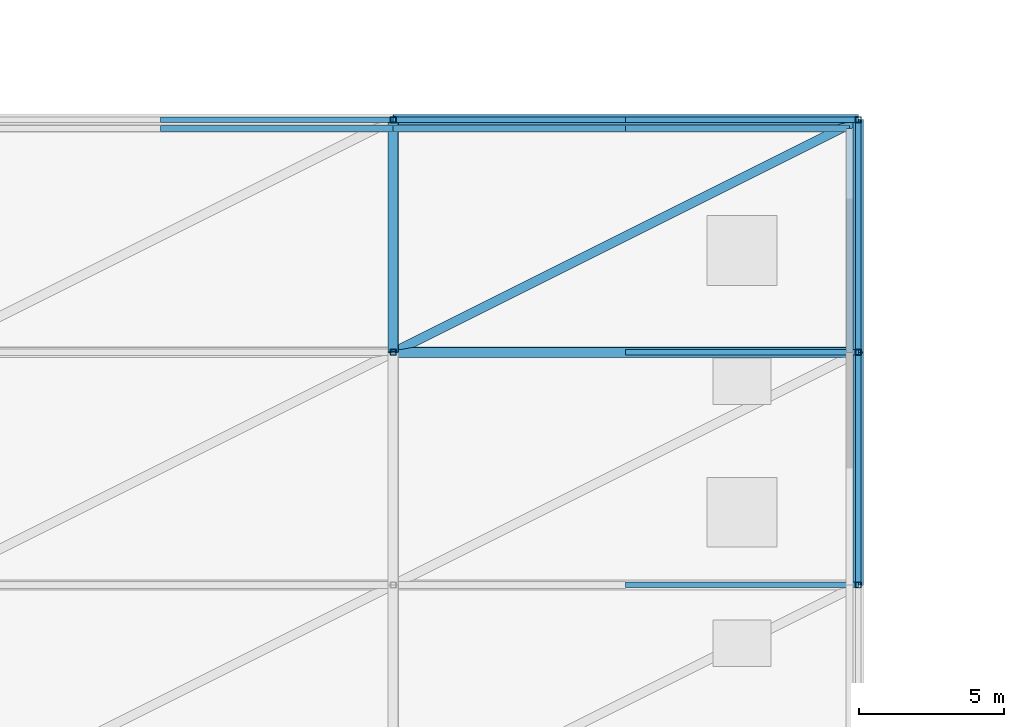
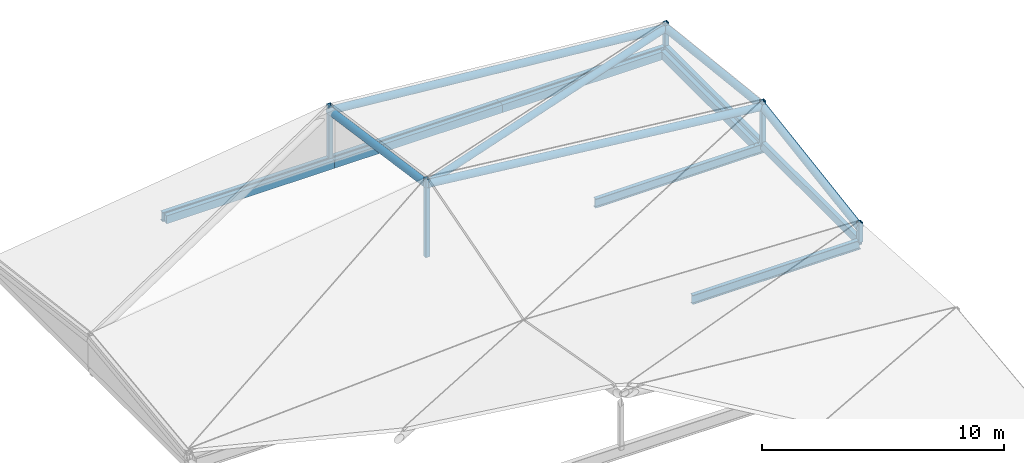
# One storey, part 25 of 44: 16 beams, 6 members.
"""IFC4 building model written with IfcOpenShell, lengths in metres."""

import ifcopenshell
import ifcopenshell.guid

model = None  # the IFC model being written
_history = None  # IfcOwnerHistory: only IFC2X3 demands one
_inside = {}  # id of a spatial element -> (the spatial element, [elements in it])
_under = {}  # id of a project, library or spatial element -> (it, [spatial elements below it])
_declared = {}  # id of a project -> (the project, [libraries it declares])
_typed = {}  # id of a type object -> (the type object, [elements of that type])
_made_of = {}  # id of a material, layer set ... -> (it, [elements and type objects made of it])


def new_model(schema):
    """Start an empty IFC model of exactly this schema.

    Asked for "IFC4X3", IfcOpenShell would pick the latest addendum, in which some entities
    have other attributes; the version numbers below select the first issue.
    IFC2X3 requires an IfcOwnerHistory on every rooted entity: one is made here for all.
    """
    global model, _history
    if schema == "IFC4X3":
        model = ifcopenshell.file(schema_version=(4, 3, 0, 0))
    else:
        model = ifcopenshell.file(schema=schema)
    _inside.clear()
    _under.clear()
    _declared.clear()
    _typed.clear()
    _made_of.clear()
    _history = None
    if model.schema == "IFC2X3":
        org = make("IfcOrganization", Name="unknown")
        user = make(
            "IfcPersonAndOrganization",
            ThePerson=make("IfcPerson", FamilyName="unknown"),
            TheOrganization=org,
        )
        app = make(
            "IfcApplication",
            ApplicationDeveloper=org,
            Version="unknown",
            ApplicationFullName="unknown",
            ApplicationIdentifier="unknown",
        )
        _history = make(
            "IfcOwnerHistory",
            OwningUser=user,
            OwningApplication=app,
            ChangeAction="ADDED",
            CreationDate=0,
        )
    return model


def make(cls, **values):
    """One entity of the class cls with the attributes given. An attribute that is None is left unset."""
    return model.create_entity(
        cls, **{name: value for name, value in values.items() if value is not None}
    )


def rooted(cls, **values):
    """An entity with a GlobalId (a new one), such as an element, a storey or a relation."""
    return make(cls, GlobalId=ifcopenshell.guid.new(), OwnerHistory=_history, **values)


def si_unit(unit_type, name, prefix=None):
    """IfcSIUnit, for example si_unit("LENGTHUNIT", "METRE", prefix="MILLI")."""
    return make("IfcSIUnit", UnitType=unit_type, Prefix=prefix, Name=name)


def assignment(units):
    """IfcUnitAssignment: the units of a project."""
    return None if units is None else make("IfcUnitAssignment", Units=units)


def point(xyz):
    """IfcCartesianPoint."""
    return None if xyz is None else make("IfcCartesianPoint", Coordinates=xyz)


def direction(xyz):
    """IfcDirection."""
    return None if xyz is None else make("IfcDirection", DirectionRatios=xyz)


def frame(location, z_axis=None, x_axis=None):
    """IfcAxis2Placement3D, a coordinate frame: its origin and axes. An axis left out is left unset."""
    return make(
        "IfcAxis2Placement3D",
        Location=point(location),
        Axis=direction(z_axis),
        RefDirection=direction(x_axis),
    )


def frame_2d(location, x_axis=None):
    """IfcAxis2Placement2D, a coordinate frame in the plane: its origin and x axis."""
    return make(
        "IfcAxis2Placement2D", Location=point(location), RefDirection=direction(x_axis)
    )


def origin():
    """The frame at (0, 0, 0) with its axes left unset."""
    return frame((0.0, 0.0, 0.0))


def origin_2d():
    """The frame at (0, 0) in the plane with its x axis left unset."""
    return frame_2d((0.0, 0.0))


def place(relative_to, where):
    """IfcLocalPlacement: puts the frame where relative to a parent placement (None: the world)."""
    return make(
        "IfcLocalPlacement", PlacementRelTo=relative_to, RelativePlacement=where
    )


def context(
    kind, dimensions, precision=None, world=None, true_north=None, identifier=None
):
    """IfcGeometricRepresentationContext, for example the 3D "Model" context."""
    return make(
        "IfcGeometricRepresentationContext",
        ContextIdentifier=identifier,
        ContextType=kind,
        CoordinateSpaceDimension=dimensions,
        Precision=precision,
        WorldCoordinateSystem=world,
        TrueNorth=true_north,
    )


def subcontext(parent, identifier, kind, view, scale=None):
    """IfcGeometricRepresentationSubContext, for example "Body" below "Model"."""
    return make(
        "IfcGeometricRepresentationSubContext",
        ContextIdentifier=identifier,
        ContextType=kind,
        ParentContext=parent,
        TargetScale=scale,
        TargetView=view,
    )


def project(units=None, contexts=None):
    """IfcProject with its units and contexts."""
    return rooted(
        "IfcProject",
        Name="project",
        RepresentationContexts=contexts,
        UnitsInContext=assignment(units),
    )


def spatial(cls, under=None, at=None, **own):
    """A site, building, storey or space (cls), placed at a placement, below another one or the project."""
    s = rooted(cls, ObjectPlacement=at, **own)
    if under is not None:
        _under.setdefault(under.id(), (under, []))[1].append(s)
    return s


def profile(cls, at=None, kind="AREA", **sizes):
    """A parametric profile (cls). Its sizes go by their IFC names, for example OverallWidth=200.0."""
    return make(cls, ProfileType=kind, Position=at, **sizes)


def hollow_rectangle(**sizes):
    """IfcRectangleHollowProfileDef."""
    return profile("IfcRectangleHollowProfileDef", **sizes)


def hollow_circle(**sizes):
    """IfcCircleHollowProfileDef."""
    return profile("IfcCircleHollowProfileDef", **sizes)


def i_section(**sizes):
    """IfcIShapeProfileDef."""
    return profile("IfcIShapeProfileDef", **sizes)


def extrude(swept, where, along, depth):
    """IfcExtrudedAreaSolid: the profile swept, set in the frame where, extruded along a direction by depth."""
    return make(
        "IfcExtrudedAreaSolid",
        SweptArea=swept,
        Position=where,
        ExtrudedDirection=direction(along),
        Depth=depth,
    )


def shape(context_of_items, identifier, shape_type, items):
    """IfcShapeRepresentation: the items that make up one representation, for example the "Body"."""
    return make(
        "IfcShapeRepresentation",
        ContextOfItems=context_of_items,
        RepresentationIdentifier=identifier,
        RepresentationType=shape_type,
        Items=items,
    )


def material(Name=None, Category=None):
    """IfcMaterial."""
    return make("IfcMaterial", Name=Name, Category=Category)


def material_profile(
    of_material, cross_section, Name=None, Category=None, Priority=None
):
    """IfcMaterialProfile: a cross section and its material."""
    return make(
        "IfcMaterialProfile",
        Name=Name,
        Material=of_material,
        Profile=cross_section,
        Priority=Priority,
        Category=Category,
    )


def profile_set(profiles, Name=None, composite=None):
    """IfcMaterialProfileSet."""
    return make(
        "IfcMaterialProfileSet",
        Name=Name,
        MaterialProfiles=profiles,
        CompositeProfile=composite,
    )


def made_of(thing, what):
    """Note that an element or type object is made of a material, layer set ...; save() writes the relation."""
    if what is not None:
        _made_of.setdefault(what.id(), (what, []))[1].append(thing)
    return thing


def type_object(cls, material=None, **own):
    """A type object (cls), such as IfcWallType, which elements share."""
    return made_of(rooted(cls, **own), material)


def element(
    cls,
    number,
    at=None,
    inside=None,
    cuts=None,
    type_object=None,
    material=None,
    context=None,
    identifier="Body",
    shape_type=None,
    held_by="IfcProductDefinitionShape",
    body=None,
    shapes=None,
    **own,
):
    """One element of the class cls, such as IfcWall. Its Tag is "e" and its number.

    at: its placement. inside: the storey or other place that contains it. cuts: it is an
    opening in that element (IfcRelVoidsElement). A single representation is given by context,
    identifier, shape_type and body (its items); several are given by shapes. held_by: the class
    of the entity that holds the representations. save() writes the other relations.
    """
    e = rooted(cls, Tag="e%d" % number, ObjectPlacement=at, **own)
    if body is not None:
        shapes = [shape(context, identifier, shape_type, body)]
    if shapes is not None:
        e.Representation = make(held_by, Representations=shapes)
    if inside is not None:
        _inside.setdefault(inside.id(), (inside, []))[1].append(e)
    if cuts is not None:
        rooted(
            "IfcRelVoidsElement", RelatingBuildingElement=cuts, RelatedOpeningElement=e
        )
    if type_object is not None:
        _typed.setdefault(type_object.id(), (type_object, []))[1].append(e)
    return made_of(e, material)


def aggregate(whole, parts):
    """IfcRelAggregates: a whole, such as a stair, and the parts it consists of."""
    return rooted("IfcRelAggregates", RelatingObject=whole, RelatedObjects=parts)


def save(model, path):
    """Write the relations noted so far, then the file.

    IfcRelAggregates (storeys below a building ...), IfcRelContainedInSpatialStructure (elements
    in a storey), IfcRelDefinesByType, IfcRelAssociatesMaterial and IfcRelDeclares: one each for
    every whole, place, type object, material and project.
    """
    for whole, parts in _under.values():
        aggregate(whole, parts)
    for where, things in _inside.values():
        rooted(
            "IfcRelContainedInSpatialStructure",
            RelatedElements=things,
            RelatingStructure=where,
        )
    for kind, things in _typed.values():
        rooted("IfcRelDefinesByType", RelatedObjects=things, RelatingType=kind)
    for what, things in _made_of.values():
        rooted("IfcRelAssociatesMaterial", RelatedObjects=things, RelatingMaterial=what)
    for by, libraries in _declared.values():
        rooted("IfcRelDeclares", RelatingContext=by, RelatedDefinitions=libraries)
    model.write(path)


model = new_model("IFC4")

# Units and contexts
model_context = context("Model", 3, precision=1e-05, world=origin(), true_north=direction((0.0, 1.0)))
body_context = subcontext(model_context, "Body", "Model", "MODEL_VIEW")
ifc_project = project(units=[si_unit("LENGTHUNIT", "METRE"), si_unit("AREAUNIT", "SQUARE_METRE"), si_unit("VOLUMEUNIT", "CUBIC_METRE"), si_unit("PLANEANGLEUNIT", "RADIAN"), si_unit("MASSUNIT", "GRAM", prefix="KILO")], contexts=[model_context])

# Site, building, storey
site_placement = place(None, origin())
site = spatial("IfcSite", under=ifc_project, at=site_placement, CompositionType="ELEMENT")
building_placement = place(site_placement, origin())
building = spatial("IfcBuilding", under=site, at=building_placement, Name="Tenunan Teduh Sports Hall", CompositionType="ELEMENT")
storey_placement = place(building_placement, frame((0.0, 0.0, 19.199951171875)))
storey = spatial("IfcBuildingStorey", under=building, at=storey_placement, Name="L04", CompositionType="ELEMENT", Elevation=19.199951171875)

# Beams
ifc_material_1 = material(Name="Steel S355", Category="steel")
ifc_material_profile_1 = material_profile(ifc_material_1, hollow_circle(Radius=0.177734375, WallThickness=0.012451171875, at=origin_2d()), Name="CHS 355.6x12.5")
ifc_profile_set_1 = profile_set([ifc_material_profile_1], Name="Steel S355")
beam_type_1 = type_object("IfcBeamType", Name="GSB-CHS356", PredefinedType="BEAM", material=ifc_profile_set_1)
beam_1_placement = place(storey_placement, frame((154.0, 62.0, 0.2900390625), z_axis=(0.0, 0.988012033751, 0.154376880274), x_axis=(-1.0, 0.0, 0.0)))
element("IfcBeam", 1, at=beam_1_placement, inside=storey, type_object=beam_type_1, Name="Gridshell Vault Arch BM-GR-04-L04-0486", PredefinedType="BEAM", context=body_context, shape_type="SweptSolid", body=[
    extrude(hollow_circle(Radius=0.177734375, WallThickness=0.012451171875, at=origin_2d()), origin(), (0.0, 0.0, 1.0), 8.09716796875),
])
beam_2_placement = place(storey_placement, frame((154.0, 70.0, 1.5400390625), z_axis=(-0.994403133479, 0.0, 0.105652298255), x_axis=(0.0, -1.0, 0.0)))
element("IfcBeam", 2, at=beam_2_placement, inside=storey, type_object=beam_type_1, Name="Gridshell Vault Arch BM-GR-04-L04-0487", PredefinedType="BEAM", context=body_context, shape_type="SweptSolid", body=[
    extrude(hollow_circle(Radius=0.177734375, WallThickness=0.012451171875, at=origin_2d()), origin(), (0.0, 0.0, 1.0), 16.090087890625),
])
beam_3_placement = place(storey_placement, frame((138.0, 70.0, 3.239990234375), z_axis=(0.0, 0.989827088292, -0.142275561092), x_axis=(-1.0, 0.0, 0.0)))
element("IfcBeam", 3, at=beam_3_placement, inside=storey, type_object=beam_type_1, Name="Gridshell Vault Arch BM-GR-04-L04-0488", PredefinedType="BEAM", context=body_context, shape_type="SweptSolid", body=[
    extrude(hollow_circle(Radius=0.177734375, WallThickness=0.012451171875, at=origin_2d()), origin(), (0.0, 0.0, 1.0), 8.082275390625),
])
beam_4_placement = place(storey_placement, frame((154.0, 70.0, 1.5400390625), z_axis=(0.0, 0.993732663715, -0.111782794142), x_axis=(-1.0, 0.0, 0.0)))
element("IfcBeam", 4, at=beam_4_placement, inside=storey, type_object=beam_type_1, Name="Gridshell Vault Arch BM-GR-04-L04-0491", PredefinedType="BEAM", context=body_context, shape_type="SweptSolid", body=[
    extrude(hollow_circle(Radius=0.177734375, WallThickness=0.012451171875, at=origin_2d()), origin(), (0.0, 0.0, 1.0), 8.050537109375),
])
beam_5_placement = place(storey_placement, frame((154.0, 78.0, 0.64013671875), z_axis=(-0.995918950334, 0.0, 0.090252115571), x_axis=(0.0, -1.0, 0.0)))
element("IfcBeam", 5, at=beam_5_placement, inside=storey, type_object=beam_type_1, Name="Gridshell Vault Arch BM-GR-04-L04-0492", PredefinedType="BEAM", context=body_context, shape_type="SweptSolid", body=[
    extrude(hollow_circle(Radius=0.177734375, WallThickness=0.012451171875, at=origin_2d()), origin(), (0.0, 0.0, 1.0), 16.065673828125),
])

# Members
ifc_material_2 = material(Name="Steel S355", Category="steel")
ifc_material_profile_2 = material_profile(ifc_material_2, hollow_circle(Radius=0.161865234375, WallThickness=0.012451171875, at=origin_2d()), Name="CHS 323.9x12.5")
ifc_profile_set_2 = profile_set([ifc_material_profile_2], Name="Steel S355")
member_type_1 = type_object("IfcMemberType", Name="MEM-CH-CHS324", PredefinedType="CHORD", material=ifc_profile_set_2)
member_1_placement = place(storey_placement, frame((138.0, 70.0, 3.239990234375), z_axis=(0.885127930251, 0.442563965125, -0.143825185078), x_axis=(-0.4472135955, 0.894427191, 0.0)))
element("IfcMember", 6, at=member_1_placement, inside=storey, type_object=member_type_1, Name="MEM-GC-02-L04-0854", PredefinedType="CHORD", context=body_context, shape_type="SweptSolid", body=[
    extrude(hollow_circle(Radius=0.161865234375, WallThickness=0.012451171875, at=origin_2d()), origin(), (0.0, 0.0, 1.0), 18.076416015625),
])
ifc_material_3 = material(Name="Steel S355", Category="steel")
ifc_material_profile_3 = material_profile(ifc_material_3, hollow_rectangle(XDim=0.199951171875, YDim=0.199951171875, WallThickness=0.010009765625, at=origin_2d()), Name="SHS 200x200x10.0")
ifc_profile_set_3 = profile_set([ifc_material_profile_3], Name="Steel S355")
member_type_2 = type_object("IfcMemberType", Name="MEM-ST-SHS200", PredefinedType="STRUT", material=ifc_profile_set_3)
member_2_placement = place(storey_placement, frame((154.0, 62.0, -0.39990234375), z_axis=(0.0, 0.0, 1.0), x_axis=(1.0, 0.0, 0.0)))
element("IfcMember", 7, at=member_2_placement, inside=storey, type_object=member_type_2, Name="MEM-VS-02-L04-0840", PredefinedType="STRUT", context=body_context, shape_type="SweptSolid", body=[
    extrude(hollow_rectangle(XDim=0.199951171875, YDim=0.199951171875, WallThickness=0.010009765625, at=origin_2d()), origin(), (0.0, 0.0, 1.0), 0.989990234375),
])
member_3_placement = place(storey_placement, frame((138.0, 70.0, -0.39990234375), z_axis=(0.0, 0.0, 1.0), x_axis=(1.0, 0.0, 0.0)))
element("IfcMember", 8, at=member_3_placement, inside=storey, type_object=member_type_2, Name="MEM-VS-02-L04-0842", PredefinedType="STRUT", context=body_context, shape_type="SweptSolid", body=[
    extrude(hollow_rectangle(XDim=0.199951171875, YDim=0.199951171875, WallThickness=0.010009765625, at=origin_2d()), origin(), (0.0, 0.0, 1.0), 3.93994140625),
])
member_4_placement = place(storey_placement, frame((154.0, 70.0, -0.39990234375), z_axis=(0.0, 0.0, 1.0), x_axis=(1.0, 0.0, 0.0)))
element("IfcMember", 9, at=member_4_placement, inside=storey, type_object=member_type_2, Name="MEM-VS-02-L04-0843", PredefinedType="STRUT", context=body_context, shape_type="SweptSolid", body=[
    extrude(hollow_rectangle(XDim=0.199951171875, YDim=0.199951171875, WallThickness=0.010009765625, at=origin_2d()), origin(), (0.0, 0.0, 1.0), 2.239990234375),
])
member_5_placement = place(storey_placement, frame((138.0, 78.0, -0.39990234375), z_axis=(0.0, 0.0, 1.0), x_axis=(1.0, 0.0, 0.0)))
element("IfcMember", 10, at=member_5_placement, inside=storey, type_object=member_type_2, Name="MEM-VS-02-L04-0845", PredefinedType="STRUT", context=body_context, shape_type="SweptSolid", body=[
    extrude(hollow_rectangle(XDim=0.199951171875, YDim=0.199951171875, WallThickness=0.010009765625, at=origin_2d()), origin(), (0.0, 0.0, 1.0), 2.7900390625),
])
member_6_placement = place(storey_placement, frame((154.0, 78.0, -0.39990234375), z_axis=(0.0, 0.0, 1.0), x_axis=(1.0, 0.0, 0.0)))
element("IfcMember", 11, at=member_6_placement, inside=storey, type_object=member_type_2, Name="MEM-VS-02-L04-0846", PredefinedType="STRUT", context=body_context, shape_type="SweptSolid", body=[
    extrude(hollow_rectangle(XDim=0.199951171875, YDim=0.199951171875, WallThickness=0.010009765625, at=origin_2d()), origin(), (0.0, 0.0, 1.0), 1.33984375),
])

# Beams
ifc_material_4 = material(Name="Steel S355", Category="steel")
ifc_material_profile_4 = material_profile(ifc_material_4, hollow_rectangle(XDim=0.199951171875, YDim=0.39990234375, WallThickness=0.012451171875, at=origin_2d()), Name="RHS 400x200x12.5")
ifc_profile_set_4 = profile_set([ifc_material_profile_4], Name="Steel S355")
beam_type_2 = type_object("IfcBeamType", Name="RBM-RHS400", PredefinedType="SPANDREL", material=ifc_profile_set_4)
for number, where, z_axis, x_axis, name in (
    (12, (154.0, 62.0, -0.389892578125), (0.0, 1.0, 0.0), (-1.0, 0.0, 0.0), "Perimeter Ring Beam BM-RB-02-L04-0469"),
    (13, (154.0, 70.0, -0.389892578125), (0.0, 1.0, 0.0), (-1.0, 0.0, 0.0), "Perimeter Ring Beam BM-RB-02-L04-0470"),
):
    element("IfcBeam", number, at=place(storey_placement, frame(where, z_axis=z_axis, x_axis=x_axis)), inside=storey, type_object=beam_type_2, Name=name, PredefinedType="SPANDREL", context=body_context, shape_type="SweptSolid", body=[
        extrude(hollow_rectangle(XDim=0.199951171875, YDim=0.39990234375, WallThickness=0.012451171875, at=origin_2d()), origin(), (0.0, 0.0, 1.0), 8.0),
    ])
beam_6_placement = place(storey_placement, frame((153.697265625, 70.0, -0.389892578125), z_axis=(0.0, 1.0, 0.0), x_axis=(-1.0, 0.0, 0.0)))
element("IfcBeam", 14, at=beam_6_placement, inside=storey, type_object=beam_type_2, Name="Perimeter Ring Beam BM-RB-02-L04-2537", PredefinedType="SPANDREL", context=body_context, shape_type="SweptSolid", body=[
    extrude(hollow_rectangle(XDim=0.199951171875, YDim=0.39990234375, WallThickness=0.012451171875, at=origin_2d()), origin(), (0.0, 0.0, 1.0), 7.697265625),
])
for number, where, z_axis, x_axis, name in (
    (15, (130.0, 77.697265625, -0.389892578125), (1.0, 0.0, 0.0), (0.0, 1.0, 0.0), "Perimeter Ring Beam BM-RB-02-L04-2539"),
    (16, (138.0, 77.697265625, -0.389892578125), (1.0, 0.0, 0.0), (0.0, 1.0, 0.0), "Perimeter Ring Beam BM-RB-02-L04-2540"),
):
    element("IfcBeam", number, at=place(storey_placement, frame(where, z_axis=z_axis, x_axis=x_axis)), inside=storey, type_object=beam_type_2, Name=name, PredefinedType="SPANDREL", context=body_context, shape_type="SweptSolid", body=[
        extrude(hollow_rectangle(XDim=0.199951171875, YDim=0.39990234375, WallThickness=0.012451171875, at=origin_2d()), origin(), (0.0, 0.0, 1.0), 8.0),
    ])
beam_7_placement = place(storey_placement, frame((146.0, 77.697265625, -0.389892578125), z_axis=(1.0, 0.0, 0.0), x_axis=(0.0, 1.0, 0.0)))
element("IfcBeam", 17, at=beam_7_placement, inside=storey, type_object=beam_type_2, Name="Perimeter Ring Beam BM-RB-02-L04-2541", PredefinedType="SPANDREL", context=body_context, shape_type="SweptSolid", body=[
    extrude(hollow_rectangle(XDim=0.199951171875, YDim=0.39990234375, WallThickness=0.012451171875, at=origin_2d()), origin(), (0.0, 0.0, 1.0), 7.697265625),
])
ifc_material_5 = material(Name="Steel S355", Category="steel")
ifc_material_profile_5 = material_profile(ifc_material_5, i_section(OverallWidth=0.1904296875, OverallDepth=0.45703125, WebThickness=0.009033203125, FlangeThickness=0.014404296875, FilletRadius=0.01025390625, at=origin_2d()), Name="UKB 457x191x74")
ifc_profile_set_5 = profile_set([ifc_material_profile_5], Name="Steel S355")
beam_type_3 = type_object("IfcBeamType", Name="SBM-UKB457", PredefinedType="BEAM", material=ifc_profile_set_5)
for number, where, z_axis, x_axis, name in (
    (18, (130.0, 78.0, -0.43994140625), (1.0, 0.0, 0.0), (0.0, 1.0, 0.0), "BM-SB-04-L04-0454"),
    (19, (138.0, 78.0, -0.43994140625), (1.0, 0.0, 0.0), (0.0, 1.0, 0.0), "BM-SB-04-L04-0455"),
    (20, (146.0, 78.0, -0.43994140625), (1.0, 0.0, 0.0), (0.0, 1.0, 0.0), "BM-SB-04-L04-0456"),
    (21, (146.0, 62.0, -0.510009765625), (1.0, 0.0, 0.0), (0.0, 1.0, 0.0), "BM-SB-04-L04-0460"),
    (22, (146.0, 70.0, -0.510009765625), (1.0, 0.0, 0.0), (0.0, 1.0, 0.0), "BM-SB-04-L04-0462"),
):
    element("IfcBeam", number, at=place(storey_placement, frame(where, z_axis=z_axis, x_axis=x_axis)), inside=storey, type_object=beam_type_3, Name=name, PredefinedType="BEAM", context=body_context, shape_type="SweptSolid", body=[
        extrude(i_section(OverallWidth=0.1904296875, OverallDepth=0.45703125, WebThickness=0.009033203125, FlangeThickness=0.014404296875, FilletRadius=0.01025390625, at=origin_2d()), origin(), (0.0, 0.0, 1.0), 8.0),
    ])

save(model, "model.ifc")
